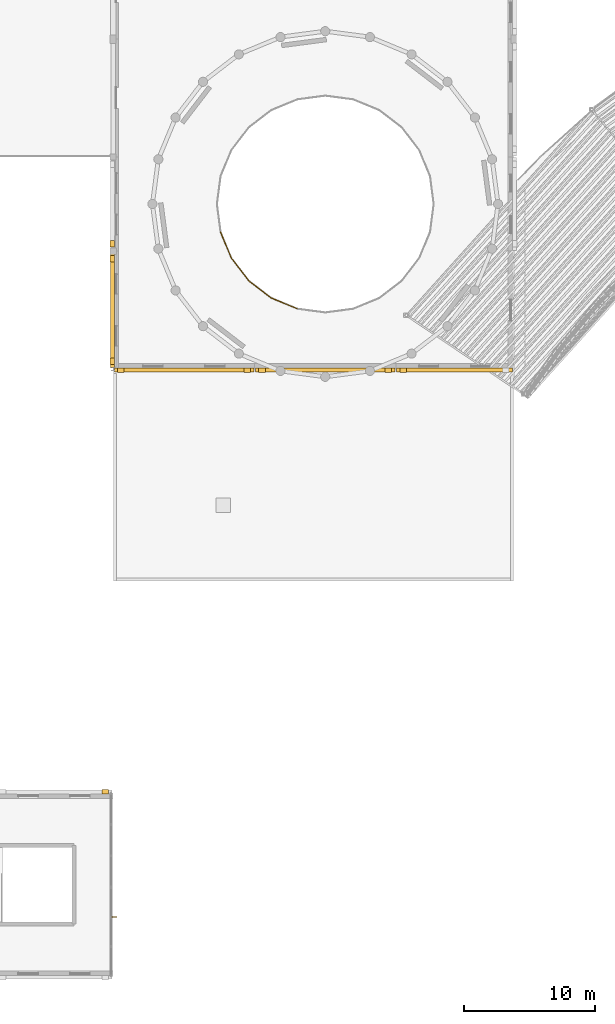
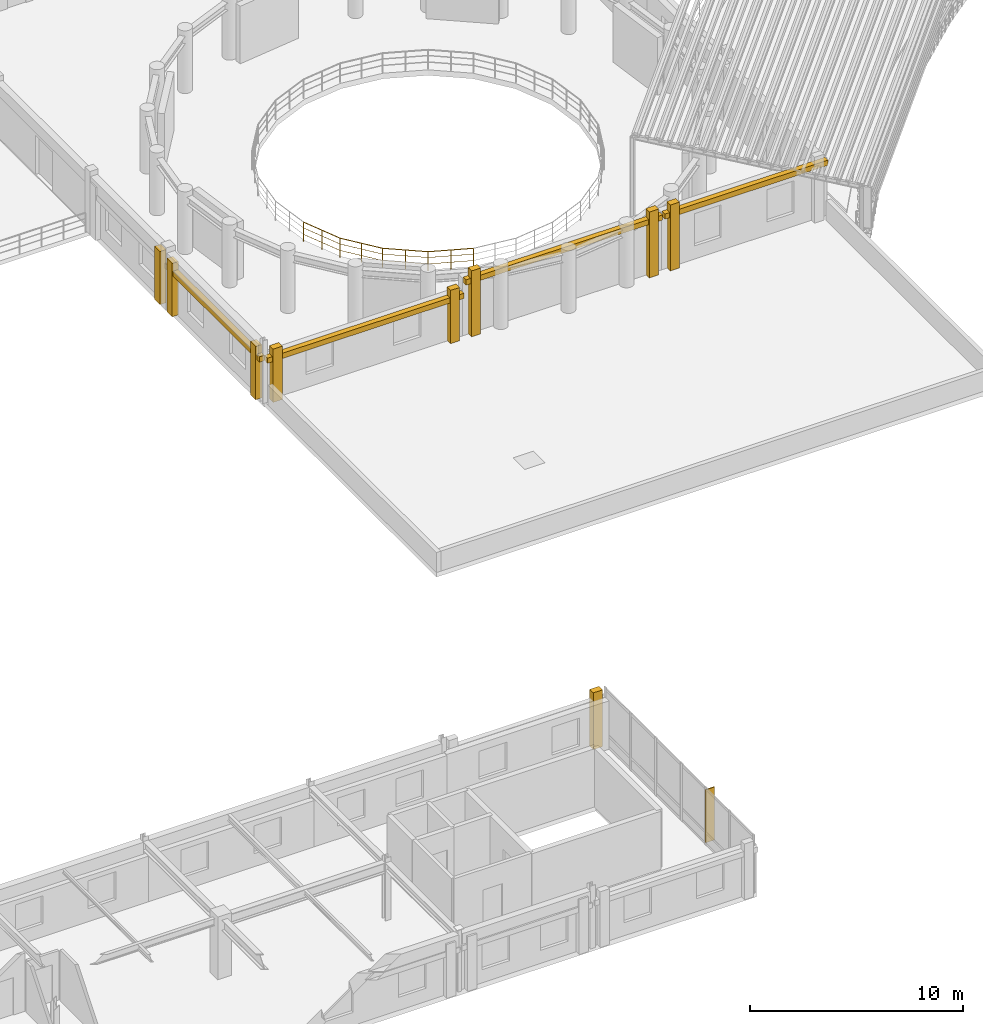
# One storey, part 61 of 74: 13 coverings, 4 railings, 1 shading device.
"""IFC4 building model written with IfcOpenShell, lengths in metres."""

from ifc_helpers import new_model, si_unit, direction, frame, frame_2d, origin, origin_2d, place, context, subcontext, project, spatial, rectangle, circle, extrude, material, layer, layer_set, type_object, element, save


model = new_model("IFC4")

# Units and contexts
model_context = context("Model", 3, precision=1e-05, world=origin(), true_north=direction((0.0, 1.0)))
body_context = subcontext(model_context, "Body", "Model", "MODEL_VIEW")
ifc_project = project(units=[si_unit("LENGTHUNIT", "METRE"), si_unit("AREAUNIT", "SQUARE_METRE"), si_unit("VOLUMEUNIT", "CUBIC_METRE"), si_unit("PLANEANGLEUNIT", "RADIAN"), si_unit("MASSUNIT", "GRAM", prefix="KILO")], contexts=[model_context])

# Site, building, storey
site_placement = place(None, origin())
site = spatial("IfcSite", under=ifc_project, at=site_placement, CompositionType="ELEMENT")
building_placement = place(site_placement, origin())
building = spatial("IfcBuilding", under=site, at=building_placement, Name="Clarverna Civic Hall", CompositionType="ELEMENT")
storey_placement = place(building_placement, frame((0.0, 0.0, 13.199951171875)))
storey = spatial("IfcBuildingStorey", under=building, at=storey_placement, Name="L03", CompositionType="ELEMENT", Elevation=13.199951171875)

# Coverings
ifc_material_1 = material(Name="Montjuic Buff Limestone Ashlar Cladding", Category="masonry")
ifc_layer_1 = layer(ifc_material_1, 0.070068359375)
ifc_layer_set_1 = layer_set([ifc_layer_1], Name="Montjuic Buff Limestone Ashlar Cladding")
covering_type = type_object("IfcCoveringType", Name="CV-CL2", PredefinedType="CLADDING", material=ifc_layer_set_1)
covering_1_placement = place(storey_placement, frame((97.114990234375, 46.320068359375, 3.02001953125), z_axis=(0.0, 0.0, 1.0), x_axis=(-1.0, 0.0, 0.0)))
element("IfcCovering", 1, at=covering_1_placement, inside=storey, type_object=covering_type, Name="CV-CL2-605", PredefinedType="CLADDING", context=body_context, shape_type="SweptSolid", body=[
    extrude(rectangle(XDim=8.85498046875, YDim=0.280029296875, at=frame_2d((4.427490234375, 0.0))), origin(), (0.0, 0.0, 1.0), 0.300048828125),
])
covering_2_placement = place(storey_placement, frame((89.02001953125, 46.2900390625, 0.0), z_axis=(0.0, 0.0, 1.0), x_axis=(-1.0, 0.0, 0.0)))
element("IfcCovering", 2, at=covering_2_placement, inside=storey, type_object=covering_type, Name="CV-CL2-607", PredefinedType="CLADDING", context=body_context, shape_type="SweptSolid", body=[
    extrude(rectangle(XDim=0.5, YDim=0.340087890625, at=frame_2d((0.25, 0.0))), origin(), (0.0, 0.0, 1.0), 3.780029296875),
])
covering_3_placement = place(storey_placement, frame((88.139892578125, 46.320068359375, 3.02001953125), z_axis=(0.0, 0.0, 1.0), x_axis=(-1.0, 0.0, 0.0)))
element("IfcCovering", 3, at=covering_3_placement, inside=storey, type_object=covering_type, Name="CV-CL2-608", PredefinedType="CLADDING", context=body_context, shape_type="SweptSolid", body=[
    extrude(rectangle(XDim=10.679931640625, YDim=0.280029296875, at=frame_2d((5.33984375, 0.0))), origin(), (0.0, 0.0, 1.0), 0.300048828125),
])
for number, where, z_axis, x_axis, name in (
    (4, (87.8798828125, 46.2900390625, 0.0), (0.0, 0.0, 1.0), (-1.0, 0.0, 0.0), "CV-CL2-609"),
    (5, (78.219970703125, 46.2900390625, 0.0), (0.0, 0.0, 1.0), (-1.0, 0.0, 0.0), "CV-CL2-610"),
):
    element("IfcCovering", number, at=place(storey_placement, frame(where, z_axis=z_axis, x_axis=x_axis)), inside=storey, type_object=covering_type, Name=name, PredefinedType="CLADDING", context=body_context, shape_type="SweptSolid", body=[
        extrude(rectangle(XDim=0.5, YDim=0.340087890625, at=frame_2d((0.25, 0.0))), origin(), (0.0, 0.0, 1.0), 3.780029296875),
    ])
covering_4_placement = place(storey_placement, frame((77.340087890625, 46.320068359375, 2.300048828125), z_axis=(0.0, 0.0, 1.0), x_axis=(-1.0, 0.0, 0.0)))
element("IfcCovering", 6, at=covering_4_placement, inside=storey, type_object=covering_type, Name="CV-CL2-611", PredefinedType="CLADDING", context=body_context, shape_type="SweptSolid", body=[
    extrude(rectangle(XDim=10.655029296875, YDim=0.280029296875, at=frame_2d((5.32763671875, 0.0))), origin(), (0.0, 0.0, 1.0), 0.300048828125),
])
for number, where, z_axis, x_axis, name in (
    (7, (77.080078125, 46.2900390625, 0.0), (0.0, 0.0, 1.0), (-1.0, 0.0, 0.0), "CV-CL2-612"),
    (8, (67.445068359375, 46.2900390625, 0.0), (0.0, 0.0, 1.0), (-1.0, 0.0, 0.0), "CV-CL2-613"),
):
    element("IfcCovering", number, at=place(storey_placement, frame(where, z_axis=z_axis, x_axis=x_axis)), inside=storey, type_object=covering_type, Name=name, PredefinedType="CLADDING", context=body_context, shape_type="SweptSolid", body=[
        extrude(rectangle(XDim=0.5, YDim=0.340087890625, at=frame_2d((0.25, 0.0))), origin(), (0.0, 0.0, 1.0), 3.06005859375),
    ])
covering_5_placement = place(storey_placement, frame((66.544921875, 46.4599609375, 2.300048828125), z_axis=(0.0, 0.0, 1.0), x_axis=(0.0, 1.0, 0.0)))
element("IfcCovering", 9, at=covering_5_placement, inside=storey, type_object=covering_type, Name="CV-CL2-614", PredefinedType="CLADDING", context=body_context, shape_type="SweptSolid", body=[
    extrude(rectangle(XDim=8.880126953125, YDim=0.280029296875, at=frame_2d((4.43994140625, 0.0))), origin(), (0.0, 0.0, 1.0), 0.300048828125),
])
for number, where, z_axis, x_axis, name in (
    (10, (66.514892578125, 46.719970703125, 0.0), (0.0, 0.0, 1.0), (0.0, 1.0, 0.0), "CV-CL2-615"),
    (11, (66.514892578125, 54.580078125, 0.0), (0.0, 0.0, 1.0), (0.0, 1.0, 0.0), "CV-CL2-616"),
    (12, (66.514892578125, 55.719970703125, 0.0), (0.0, 0.0, 1.0), (0.0, 1.0, 0.0), "CV-CL2-618"),
):
    element("IfcCovering", number, at=place(storey_placement, frame(where, z_axis=z_axis, x_axis=x_axis)), inside=storey, type_object=covering_type, Name=name, PredefinedType="CLADDING", context=body_context, shape_type="SweptSolid", body=[
        extrude(rectangle(XDim=0.5, YDim=0.340087890625, at=frame_2d((0.25, 0.0))), origin(), (0.0, 0.0, 1.0), 3.06005859375),
    ])
covering_6_placement = place(storey_placement, frame((65.7548828125, 14.110107421875, 0.0), z_axis=(0.0, 0.0, 1.0), x_axis=(1.0, 0.0, 0.0)))
element("IfcCovering", 13, at=covering_6_placement, inside=storey, type_object=covering_type, Name="CV-CL2-736", PredefinedType="CLADDING", context=body_context, shape_type="SweptSolid", body=[
    extrude(rectangle(XDim=0.5, YDim=0.340087890625, at=frame_2d((0.25, 0.0))), origin(), (0.0, 0.0, 1.0), 3.260009765625),
])

# Railings
ifc_material_2 = material(Name="Anodised Bronze Architectural Balustrade")
railing_type = type_object("IfcRailingType", Name="GR-02", PredefinedType="BALUSTRADE", material=ifc_material_2)
railing_1_placement = place(storey_placement, frame((80.65673828125, 51.00146484375, 0.0)))
element("IfcRailing", 14, at=railing_1_placement, inside=storey, type_object=railing_type, Name="GR-02-247", PredefinedType="BALUSTRADE", context=body_context, shape_type="SweptSolid", body=[
    extrude(circle(Radius=0.02392578125, at=origin_2d()), frame((0.0, 0.0, 1.09619140625), z_axis=(-0.923890191634, 0.382657697953, 0.0), x_axis=(-0.382657697953, -0.923890191634, 0.0)), (0.0, 0.0, 1.0), 2.16162109375),
    extrude(circle(Radius=0.011962890625, at=origin_2d()), frame((0.0, 0.0, 0.39208984375), z_axis=(-0.923890191634, 0.382657697953, 0.0), x_axis=(-0.382657697953, -0.923890191634, 0.0)), (0.0, 0.0, 1.0), 2.16162109375),
    extrude(circle(Radius=0.011962890625, at=origin_2d()), frame((0.0, 0.0, 0.76171875), z_axis=(-0.923890191634, 0.382657697953, 0.0), x_axis=(-0.382657697953, -0.923890191634, 0.0)), (0.0, 0.0, 1.0), 2.16162109375),
    extrude(circle(Radius=0.02099609375, at=origin_2d()), origin(), (0.0, 0.0, 1.0), 1.072021484375),
    extrude(circle(Radius=0.02099609375, at=origin_2d()), frame((-0.99853515625, 0.41357421875, 0.0)), (0.0, 0.0, 1.0), 1.072021484375),
    extrude(circle(Radius=0.02099609375, at=origin_2d()), frame((-1.9970703125, 0.8271484375, 0.0)), (0.0, 0.0, 1.0), 1.072021484375),
])
railing_2_placement = place(storey_placement, frame((78.65966796875, 51.82861328125, 0.0)))
element("IfcRailing", 15, at=railing_2_placement, inside=storey, type_object=railing_type, Name="GR-02-248", PredefinedType="BALUSTRADE", context=body_context, shape_type="SweptSolid", body=[
    extrude(circle(Radius=0.02392578125, at=origin_2d()), frame((0.0, 0.0, 1.09619140625), z_axis=(-0.793379089361, 0.608727870698, 0.0), x_axis=(-0.608727870698, -0.793379089361, 0.0)), (0.0, 0.0, 1.0), 2.161865234375),
    extrude(circle(Radius=0.011962890625, at=origin_2d()), frame((0.0, 0.0, 0.39208984375), z_axis=(-0.793379089361, 0.608727870698, 0.0), x_axis=(-0.608727870698, -0.793379089361, 0.0)), (0.0, 0.0, 1.0), 2.161865234375),
    extrude(circle(Radius=0.011962890625, at=origin_2d()), frame((0.0, 0.0, 0.76171875), z_axis=(-0.793379089361, 0.608727870698, 0.0), x_axis=(-0.608727870698, -0.793379089361, 0.0)), (0.0, 0.0, 1.0), 2.161865234375),
    extrude(circle(Radius=0.02099609375, at=origin_2d()), origin(), (0.0, 0.0, 1.0), 1.072021484375),
    extrude(circle(Radius=0.02099609375, at=origin_2d()), frame((-0.857421875, 0.657958984375, 0.0)), (0.0, 0.0, 1.0), 1.072021484375),
    extrude(circle(Radius=0.02099609375, at=origin_2d()), frame((-1.715087890625, 1.31591796875, 0.0)), (0.0, 0.0, 1.0), 1.072021484375),
])
railing_3_placement = place(storey_placement, frame((76.944580078125, 53.14453125, 0.0)))
element("IfcRailing", 16, at=railing_3_placement, inside=storey, type_object=railing_type, Name="GR-02-249", PredefinedType="BALUSTRADE", context=body_context, shape_type="SweptSolid", body=[
    extrude(circle(Radius=0.02392578125, at=origin_2d()), frame((0.0, 0.0, 1.09619140625), z_axis=(-0.608727870698, 0.793379089361, 0.0), x_axis=(-0.793379089361, -0.608727870698, 0.0)), (0.0, 0.0, 1.0), 2.161865234375),
    extrude(circle(Radius=0.011962890625, at=origin_2d()), frame((0.0, 0.0, 0.39208984375), z_axis=(-0.608727870698, 0.793379089361, 0.0), x_axis=(-0.793379089361, -0.608727870698, 0.0)), (0.0, 0.0, 1.0), 2.161865234375),
    extrude(circle(Radius=0.011962890625, at=origin_2d()), frame((0.0, 0.0, 0.76171875), z_axis=(-0.608727870698, 0.793379089361, 0.0), x_axis=(-0.793379089361, -0.608727870698, 0.0)), (0.0, 0.0, 1.0), 2.161865234375),
    extrude(circle(Radius=0.02099609375, at=origin_2d()), origin(), (0.0, 0.0, 1.0), 1.072021484375),
    extrude(circle(Radius=0.02099609375, at=origin_2d()), frame((-0.657958984375, 0.857421875, 0.0)), (0.0, 0.0, 1.0), 1.072021484375),
    extrude(circle(Radius=0.02099609375, at=origin_2d()), frame((-1.31591796875, 1.715087890625, 0.0)), (0.0, 0.0, 1.0), 1.072021484375),
])
railing_4_placement = place(storey_placement, frame((75.628662109375, 54.859619140625, 0.0)))
element("IfcRailing", 17, at=railing_4_placement, inside=storey, type_object=railing_type, Name="GR-02-250", PredefinedType="BALUSTRADE", context=body_context, shape_type="SweptSolid", body=[
    extrude(circle(Radius=0.02392578125, at=origin_2d()), frame((0.0, 0.0, 1.09619140625), z_axis=(-0.382657697953, 0.923890191634, 0.0), x_axis=(-0.923890191634, -0.382657697953, 0.0)), (0.0, 0.0, 1.0), 2.16162109375),
    extrude(circle(Radius=0.011962890625, at=origin_2d()), frame((0.0, 0.0, 0.39208984375), z_axis=(-0.382657697953, 0.923890191634, 0.0), x_axis=(-0.923890191634, -0.382657697953, 0.0)), (0.0, 0.0, 1.0), 2.16162109375),
    extrude(circle(Radius=0.011962890625, at=origin_2d()), frame((0.0, 0.0, 0.76171875), z_axis=(-0.382657697953, 0.923890191634, 0.0), x_axis=(-0.923890191634, -0.382657697953, 0.0)), (0.0, 0.0, 1.0), 2.16162109375),
    extrude(circle(Radius=0.02099609375, at=origin_2d()), origin(), (0.0, 0.0, 1.0), 1.072021484375),
    extrude(circle(Radius=0.02099609375, at=origin_2d()), frame((-0.41357421875, 0.99853515625, 0.0)), (0.0, 0.0, 1.0), 1.072021484375),
    extrude(circle(Radius=0.02099609375, at=origin_2d()), frame((-0.8271484375, 1.9970703125, 0.0)), (0.0, 0.0, 1.0), 1.072021484375),
])

# Shading device
ifc_material_3 = material(Name="Anodised Bronze Architectural Solar Fin", Category="aluminium")
ifc_layer_2 = layer(ifc_material_3, 0.054931640625)
ifc_layer_set_2 = layer_set([ifc_layer_2], Name="Anodised Bronze Architectural Solar Fin")
shading_device_type = type_object("IfcShadingDeviceType", Name="SD-FN1", PredefinedType="USERDEFINED", material=ifc_layer_set_2)
shading_device_placement = place(storey_placement, frame((66.405029296875, 4.522216796875, 0.150146484375), z_axis=(0.0, 0.0, 1.0), x_axis=(1.0, 0.0, 0.0)))
element("IfcShadingDevice", 18, at=shading_device_placement, inside=storey, type_object=shading_device_type, Name="SD-FN1-048", ObjectType="FIN", PredefinedType="USERDEFINED", context=body_context, shape_type="SweptSolid", body=[
    extrude(rectangle(XDim=0.47998046875, YDim=0.054931640625, at=frame_2d((0.239990234375, 0.0))), origin(), (0.0, 0.0, 1.0), 3.039794921875),
])

save(model, "model.ifc")
